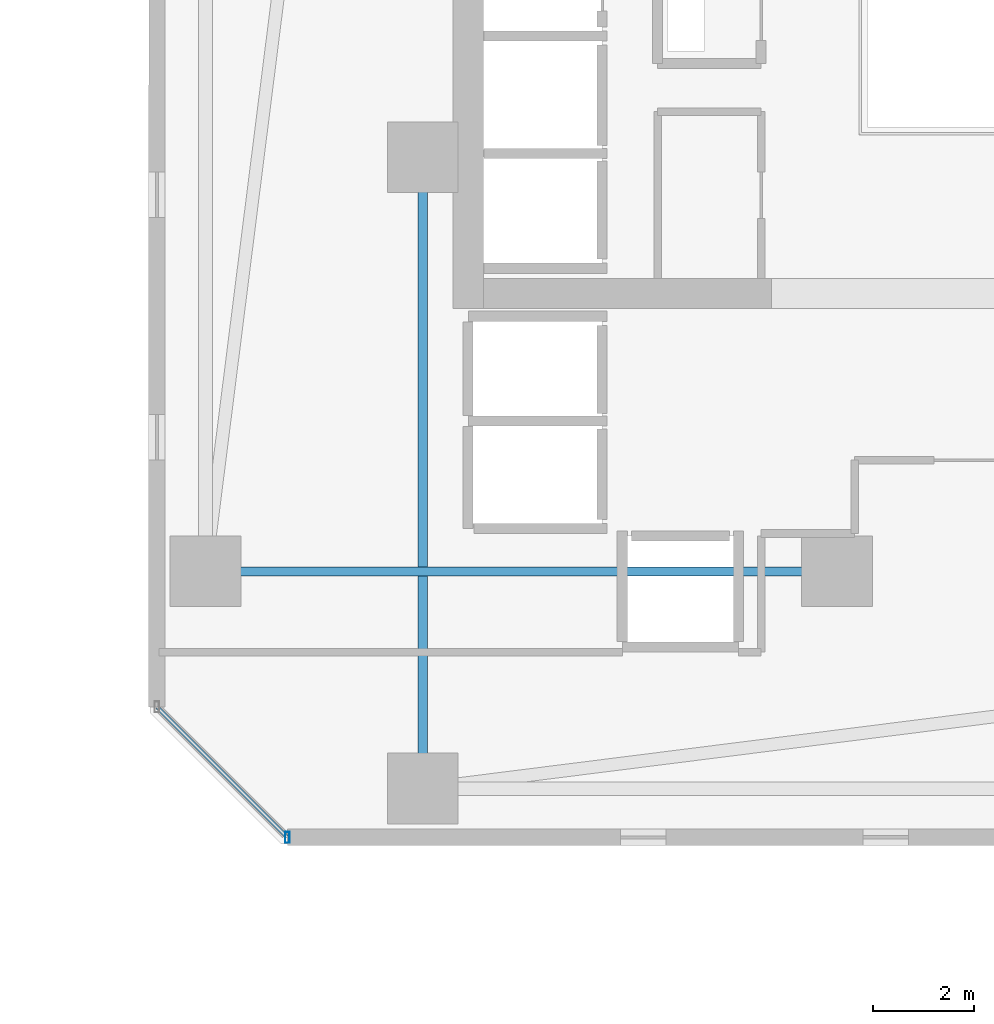
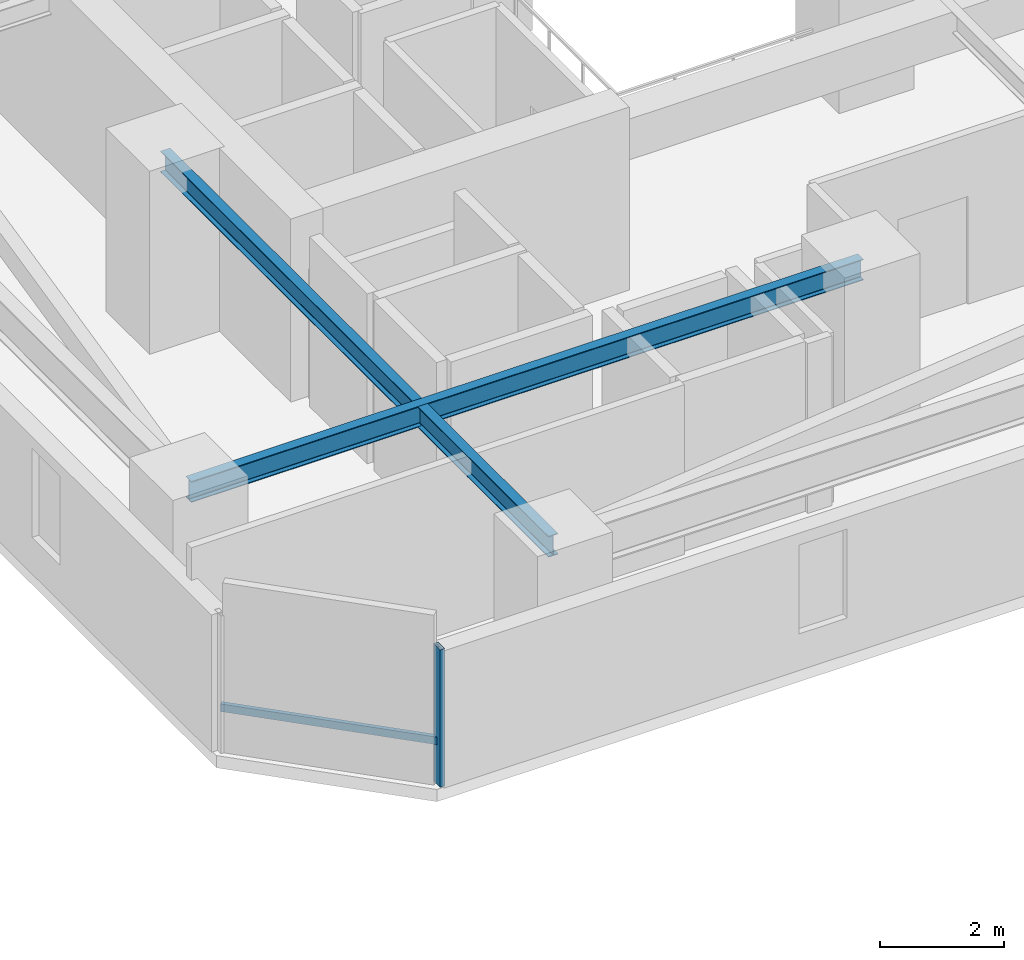
# One storey, part 12 of 34: 2 beams, 2 members, 1 element without a shape of its own.
"""IFC4 building model written with IfcOpenShell, lengths in metres."""

from ifc_helpers import new_model, si_unit, direction, frame, origin, origin_2d, place, context, subcontext, project, spatial, hollow_rectangle, i_section, extrude, material, material_profile, profile_set, type_object, element, aggregate, save


model = new_model("IFC4")

# Units and contexts
model_context = context("Model", 3, precision=1e-05, world=origin(), true_north=direction((0.0, 1.0)))
body_context = subcontext(model_context, "Body", "Model", "MODEL_VIEW")
ifc_project = project(units=[si_unit("LENGTHUNIT", "METRE"), si_unit("AREAUNIT", "SQUARE_METRE"), si_unit("VOLUMEUNIT", "CUBIC_METRE"), si_unit("PLANEANGLEUNIT", "RADIAN"), si_unit("MASSUNIT", "GRAM", prefix="KILO")], contexts=[model_context])

# Site, building, storey
site_placement = place(None, origin())
site = spatial("IfcSite", under=ifc_project, at=site_placement, CompositionType="ELEMENT")
building_placement = place(site_placement, origin())
building = spatial("IfcBuilding", under=site, at=building_placement, Name="Thornwick Lancets Civic Towers", CompositionType="ELEMENT")
storey_placement = place(building_placement, frame((0.0, 0.0, 57.300048828125)))
storey = spatial("IfcBuildingStorey", under=building, at=storey_placement, Name="L14", CompositionType="ELEMENT", Elevation=57.300048828125)

# Beams
ifc_material_1 = material(Name="Steel S355JR", Category="steel")
ifc_material_profile_1 = material_profile(ifc_material_1, i_section(OverallWidth=0.179443359375, OverallDepth=0.412841796875, WebThickness=0.009521484375, FlangeThickness=0.01611328125, FilletRadius=0.01025390625, at=origin_2d()), Name="UKB 406x178x74")
ifc_profile_set_1 = profile_set([ifc_material_profile_1], Name="Steel S355JR")
beam_type = type_object("IfcBeamType", Name="BM_JOIST_406_74", PredefinedType="JOIST", material=ifc_profile_set_1)
for number, where, z_axis, x_axis, name in (
    (1, (83.699951171875, 14.0, 3.153564453125), (-1.0, 0.0, 0.0), (0.0, -1.0, 0.0), "BM-RADIN-L14-B07"),
    (2, (75.5, 22.199951171875, 3.153564453125), (0.0, -1.0, 0.0), (1.0, 0.0, 0.0), "BM-RADIN-L14-B12"),
):
    element("IfcBeam", number, at=place(storey_placement, frame(where, z_axis=z_axis, x_axis=x_axis)), inside=storey, type_object=beam_type, Name=name, PredefinedType="JOIST", context=body_context, shape_type="SweptSolid", body=[
        extrude(i_section(OverallWidth=0.179443359375, OverallDepth=0.412841796875, WebThickness=0.009521484375, FlangeThickness=0.01611328125, FilletRadius=0.01025390625, at=origin_2d()), origin(), (0.0, 0.0, 1.0), 12.5),
    ])

# Curtain wall, members
ifc_material_2 = material(Name="Low-zone chamfered-corner unitised glass curtain wall", Category="glass")
curtain_wall_type = type_object("IfcCurtainWallType", Name="CW_SYS_03", PredefinedType="NOTDEFINED", material=ifc_material_2)
curtain_wall_placement = place(storey_placement, origin())
curtain_wall = element("IfcCurtainWall", 3, at=curtain_wall_placement, inside=storey, type_object=curtain_wall_type, Name="L14 Curtain Wall CW-L14-B-E7", PredefinedType="NOTDEFINED")
ifc_material_3 = material(Name="Thermally broken bronze aluminium S355", Category="steel")
ifc_material_profile_2 = material_profile(ifc_material_3, hollow_rectangle(XDim=0.090087890625, YDim=0.219970703125, WallThickness=0.00634765625, at=origin_2d()), Name="RHS 220x90x6.3")
ifc_profile_set_2 = profile_set([ifc_material_profile_2], Name="Thermally broken bronze aluminium S355")
member_type_1 = type_object("IfcMemberType", Name="CW_MUL_220", PredefinedType="MULLION", material=ifc_profile_set_2)
member_1_placement = place(storey_placement, frame((72.81884765625, 8.735107421875, 0.0), z_axis=(0.0, 0.0, 1.0), x_axis=(1.0, 0.0, 0.0)))
member_1 = element("IfcMember", 4, at=member_1_placement, type_object=member_type_1, Name="CW-L14-B-E7 Mullion 1", PredefinedType="MULLION", context=body_context, shape_type="SweptSolid", body=[
    extrude(hollow_rectangle(XDim=0.090087890625, YDim=0.219970703125, WallThickness=0.00634765625, at=origin_2d()), origin(), (0.0, 0.0, 1.0), 2.699951171875),
])
ifc_material_profile_3 = material_profile(ifc_material_3, hollow_rectangle(XDim=0.074951171875, YDim=0.14990234375, WallThickness=0.0048828125, at=origin_2d()), Name="RHS 150x75x5")
ifc_profile_set_3 = profile_set([ifc_material_profile_3], Name="Thermally broken bronze aluminium S355")
member_type_2 = type_object("IfcMemberType", Name="CW_TRN_150", PredefinedType="USERDEFINED", material=ifc_profile_set_3)
member_2_placement = place(storey_placement, frame((70.249267578125, 11.3046875, 0.849853515625), z_axis=(0.707106781187, -0.707106781187, 0.0), x_axis=(0.707106781187, 0.707106781187, 0.0)))
member_2 = element("IfcMember", 5, at=member_2_placement, type_object=member_type_2, Name="CW-L14-B-E7 Transom 0", ObjectType="TRANSOM", PredefinedType="USERDEFINED", context=body_context, shape_type="SweptSolid", body=[
    extrude(hollow_rectangle(XDim=0.074951171875, YDim=0.14990234375, WallThickness=0.0048828125, at=origin_2d()), origin(), (0.0, 0.0, 1.0), 3.614013671875),
])
aggregate(curtain_wall, [member_1, member_2])

save(model, "model.ifc")
